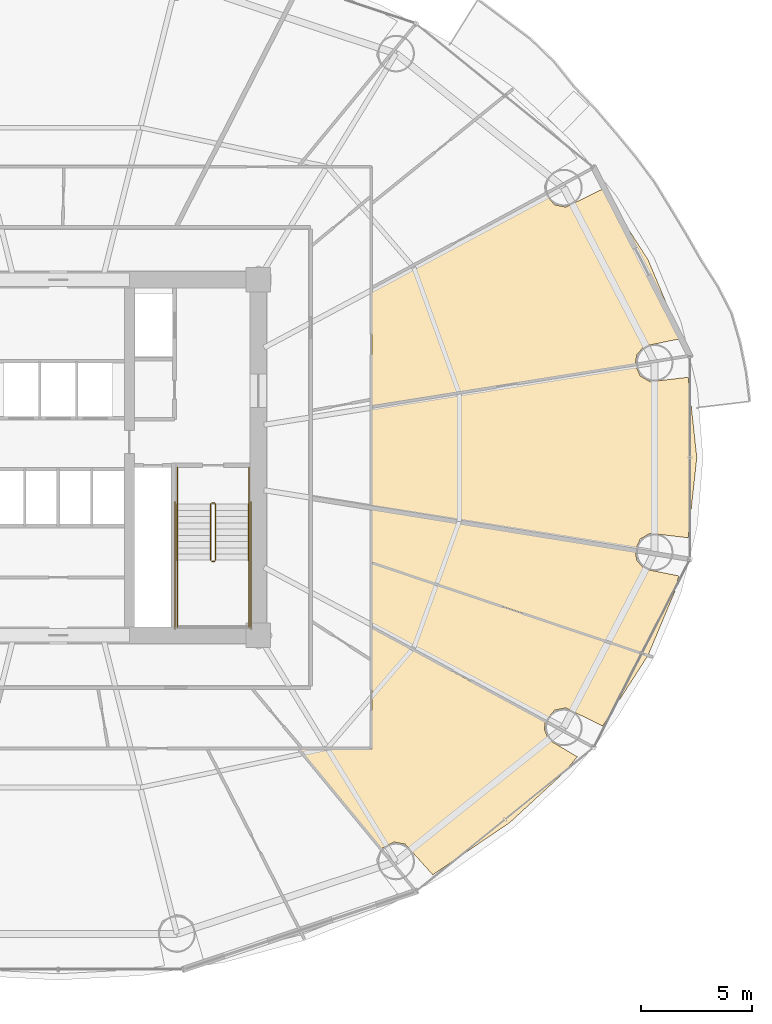
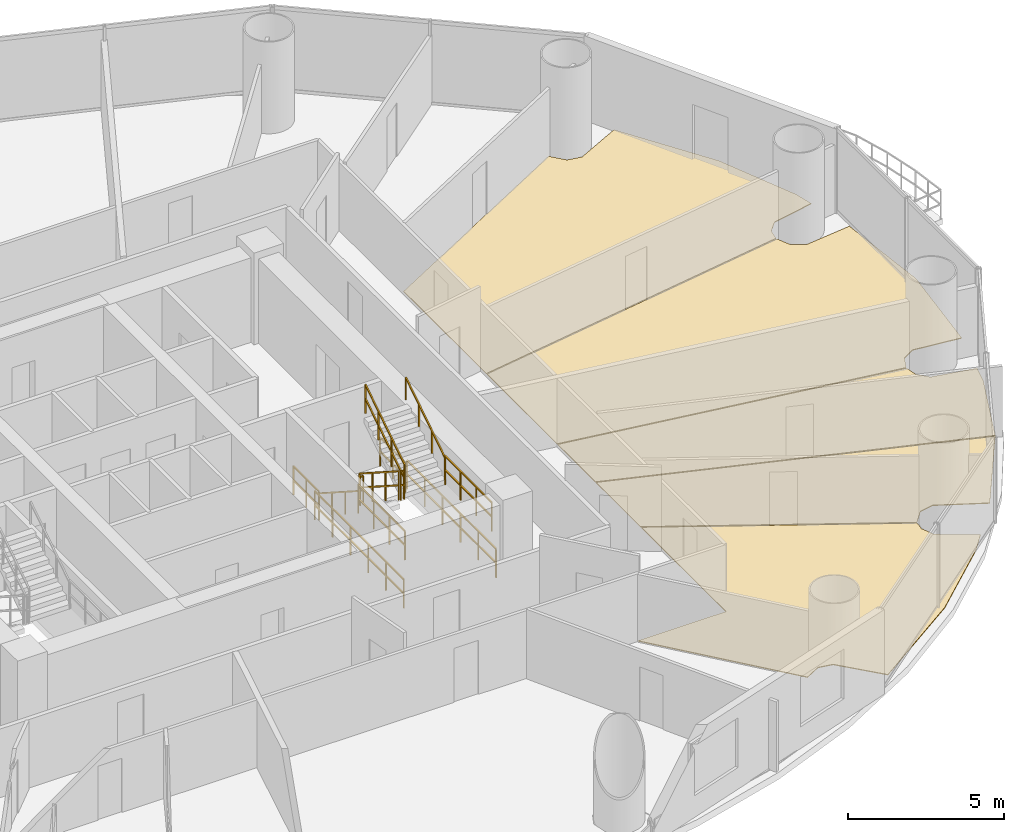
# One storey, part 29 of 30: 12 railings, 5 coverings.
"""IFC4 building model written with IfcOpenShell, lengths in metres."""

import ifcopenshell
import ifcopenshell.guid

model = None  # the IFC model being written
_history = None  # IfcOwnerHistory: only IFC2X3 demands one
_inside = {}  # id of a spatial element -> (the spatial element, [elements in it])
_under = {}  # id of a project, library or spatial element -> (it, [spatial elements below it])
_declared = {}  # id of a project -> (the project, [libraries it declares])
_typed = {}  # id of a type object -> (the type object, [elements of that type])
_made_of = {}  # id of a material, layer set ... -> (it, [elements and type objects made of it])


def new_model(schema):
    """Start an empty IFC model of exactly this schema.

    Asked for "IFC4X3", IfcOpenShell would pick the latest addendum, in which some entities
    have other attributes; the version numbers below select the first issue.
    IFC2X3 requires an IfcOwnerHistory on every rooted entity: one is made here for all.
    """
    global model, _history
    if schema == "IFC4X3":
        model = ifcopenshell.file(schema_version=(4, 3, 0, 0))
    else:
        model = ifcopenshell.file(schema=schema)
    _inside.clear()
    _under.clear()
    _declared.clear()
    _typed.clear()
    _made_of.clear()
    _history = None
    if model.schema == "IFC2X3":
        org = make("IfcOrganization", Name="unknown")
        user = make(
            "IfcPersonAndOrganization",
            ThePerson=make("IfcPerson", FamilyName="unknown"),
            TheOrganization=org,
        )
        app = make(
            "IfcApplication",
            ApplicationDeveloper=org,
            Version="unknown",
            ApplicationFullName="unknown",
            ApplicationIdentifier="unknown",
        )
        _history = make(
            "IfcOwnerHistory",
            OwningUser=user,
            OwningApplication=app,
            ChangeAction="ADDED",
            CreationDate=0,
        )
    return model


def make(cls, **values):
    """One entity of the class cls with the attributes given. An attribute that is None is left unset."""
    return model.create_entity(
        cls, **{name: value for name, value in values.items() if value is not None}
    )


def rooted(cls, **values):
    """An entity with a GlobalId (a new one), such as an element, a storey or a relation."""
    return make(cls, GlobalId=ifcopenshell.guid.new(), OwnerHistory=_history, **values)


def si_unit(unit_type, name, prefix=None):
    """IfcSIUnit, for example si_unit("LENGTHUNIT", "METRE", prefix="MILLI")."""
    return make("IfcSIUnit", UnitType=unit_type, Prefix=prefix, Name=name)


def assignment(units):
    """IfcUnitAssignment: the units of a project."""
    return None if units is None else make("IfcUnitAssignment", Units=units)


def point(xyz):
    """IfcCartesianPoint."""
    return None if xyz is None else make("IfcCartesianPoint", Coordinates=xyz)


def direction(xyz):
    """IfcDirection."""
    return None if xyz is None else make("IfcDirection", DirectionRatios=xyz)


def frame(location, z_axis=None, x_axis=None):
    """IfcAxis2Placement3D, a coordinate frame: its origin and axes. An axis left out is left unset."""
    return make(
        "IfcAxis2Placement3D",
        Location=point(location),
        Axis=direction(z_axis),
        RefDirection=direction(x_axis),
    )


def frame_2d(location, x_axis=None):
    """IfcAxis2Placement2D, a coordinate frame in the plane: its origin and x axis."""
    return make(
        "IfcAxis2Placement2D", Location=point(location), RefDirection=direction(x_axis)
    )


def origin():
    """The frame at (0, 0, 0) with its axes left unset."""
    return frame((0.0, 0.0, 0.0))


def origin_2d():
    """The frame at (0, 0) in the plane with its x axis left unset."""
    return frame_2d((0.0, 0.0))


def place(relative_to, where):
    """IfcLocalPlacement: puts the frame where relative to a parent placement (None: the world)."""
    return make(
        "IfcLocalPlacement", PlacementRelTo=relative_to, RelativePlacement=where
    )


def context(
    kind, dimensions, precision=None, world=None, true_north=None, identifier=None
):
    """IfcGeometricRepresentationContext, for example the 3D "Model" context."""
    return make(
        "IfcGeometricRepresentationContext",
        ContextIdentifier=identifier,
        ContextType=kind,
        CoordinateSpaceDimension=dimensions,
        Precision=precision,
        WorldCoordinateSystem=world,
        TrueNorth=true_north,
    )


def subcontext(parent, identifier, kind, view, scale=None):
    """IfcGeometricRepresentationSubContext, for example "Body" below "Model"."""
    return make(
        "IfcGeometricRepresentationSubContext",
        ContextIdentifier=identifier,
        ContextType=kind,
        ParentContext=parent,
        TargetScale=scale,
        TargetView=view,
    )


def project(units=None, contexts=None):
    """IfcProject with its units and contexts."""
    return rooted(
        "IfcProject",
        Name="project",
        RepresentationContexts=contexts,
        UnitsInContext=assignment(units),
    )


def spatial(cls, under=None, at=None, **own):
    """A site, building, storey or space (cls), placed at a placement, below another one or the project."""
    s = rooted(cls, ObjectPlacement=at, **own)
    if under is not None:
        _under.setdefault(under.id(), (under, []))[1].append(s)
    return s


def polyline(points):
    """IfcPolyline through the points."""
    return make("IfcPolyline", Points=[point(p) for p in points])


def profile(cls, at=None, kind="AREA", **sizes):
    """A parametric profile (cls). Its sizes go by their IFC names, for example OverallWidth=200.0."""
    return make(cls, ProfileType=kind, Position=at, **sizes)


def rectangle(**sizes):
    """IfcRectangleProfileDef."""
    return profile("IfcRectangleProfileDef", **sizes)


def outline(outer, holes=None, kind="AREA"):
    """IfcArbitraryClosedProfileDef: a profile drawn as a closed curve; with holes, ...WithVoids."""
    if holes is None:
        return make("IfcArbitraryClosedProfileDef", ProfileType=kind, OuterCurve=outer)
    return make(
        "IfcArbitraryProfileDefWithVoids",
        ProfileType=kind,
        OuterCurve=outer,
        InnerCurves=holes,
    )


def extrude(swept, where, along, depth):
    """IfcExtrudedAreaSolid: the profile swept, set in the frame where, extruded along a direction by depth."""
    return make(
        "IfcExtrudedAreaSolid",
        SweptArea=swept,
        Position=where,
        ExtrudedDirection=direction(along),
        Depth=depth,
    )


def shape(context_of_items, identifier, shape_type, items):
    """IfcShapeRepresentation: the items that make up one representation, for example the "Body"."""
    return make(
        "IfcShapeRepresentation",
        ContextOfItems=context_of_items,
        RepresentationIdentifier=identifier,
        RepresentationType=shape_type,
        Items=items,
    )


def material(Name=None, Category=None):
    """IfcMaterial."""
    return make("IfcMaterial", Name=Name, Category=Category)


def layer(
    of_material, thickness, ventilated=None, Name=None, Category=None, Priority=None
):
    """IfcMaterialLayer: one layer of a wall or slab, of a material (None: an air gap)."""
    return make(
        "IfcMaterialLayer",
        Material=of_material,
        LayerThickness=thickness,
        IsVentilated=ventilated,
        Name=Name,
        Category=Category,
        Priority=Priority,
    )


def layer_set(layers, Name=None):
    """IfcMaterialLayerSet."""
    return make("IfcMaterialLayerSet", MaterialLayers=layers, LayerSetName=Name)


def made_of(thing, what):
    """Note that an element or type object is made of a material, layer set ...; save() writes the relation."""
    if what is not None:
        _made_of.setdefault(what.id(), (what, []))[1].append(thing)
    return thing


def type_object(cls, material=None, **own):
    """A type object (cls), such as IfcWallType, which elements share."""
    return made_of(rooted(cls, **own), material)


def element(
    cls,
    number,
    at=None,
    inside=None,
    cuts=None,
    type_object=None,
    material=None,
    context=None,
    identifier="Body",
    shape_type=None,
    held_by="IfcProductDefinitionShape",
    body=None,
    shapes=None,
    **own,
):
    """One element of the class cls, such as IfcWall. Its Tag is "e" and its number.

    at: its placement. inside: the storey or other place that contains it. cuts: it is an
    opening in that element (IfcRelVoidsElement). A single representation is given by context,
    identifier, shape_type and body (its items); several are given by shapes. held_by: the class
    of the entity that holds the representations. save() writes the other relations.
    """
    e = rooted(cls, Tag="e%d" % number, ObjectPlacement=at, **own)
    if body is not None:
        shapes = [shape(context, identifier, shape_type, body)]
    if shapes is not None:
        e.Representation = make(held_by, Representations=shapes)
    if inside is not None:
        _inside.setdefault(inside.id(), (inside, []))[1].append(e)
    if cuts is not None:
        rooted(
            "IfcRelVoidsElement", RelatingBuildingElement=cuts, RelatedOpeningElement=e
        )
    if type_object is not None:
        _typed.setdefault(type_object.id(), (type_object, []))[1].append(e)
    return made_of(e, material)


def aggregate(whole, parts):
    """IfcRelAggregates: a whole, such as a stair, and the parts it consists of."""
    return rooted("IfcRelAggregates", RelatingObject=whole, RelatedObjects=parts)


def save(model, path):
    """Write the relations noted so far, then the file.

    IfcRelAggregates (storeys below a building ...), IfcRelContainedInSpatialStructure (elements
    in a storey), IfcRelDefinesByType, IfcRelAssociatesMaterial and IfcRelDeclares: one each for
    every whole, place, type object, material and project.
    """
    for whole, parts in _under.values():
        aggregate(whole, parts)
    for where, things in _inside.values():
        rooted(
            "IfcRelContainedInSpatialStructure",
            RelatedElements=things,
            RelatingStructure=where,
        )
    for kind, things in _typed.values():
        rooted("IfcRelDefinesByType", RelatedObjects=things, RelatingType=kind)
    for what, things in _made_of.values():
        rooted("IfcRelAssociatesMaterial", RelatedObjects=things, RelatingMaterial=what)
    for by, libraries in _declared.values():
        rooted("IfcRelDeclares", RelatingContext=by, RelatedDefinitions=libraries)
    model.write(path)


model = new_model("IFC4")

# Units and contexts
model_context = context("Model", 3, precision=1e-05, world=origin(), true_north=direction((-0.2419218956, 0.970295726276)))
body_context = subcontext(model_context, "Body", "Model", "MODEL_VIEW")
ifc_project = project(units=[si_unit("LENGTHUNIT", "METRE"), si_unit("AREAUNIT", "SQUARE_METRE"), si_unit("VOLUMEUNIT", "CUBIC_METRE"), si_unit("PLANEANGLEUNIT", "RADIAN"), si_unit("MASSUNIT", "GRAM", prefix="KILO")], contexts=[model_context])

# Site, building, storey
site_placement = place(None, origin())
site = spatial("IfcSite", under=ifc_project, at=site_placement, CompositionType="ELEMENT")
building_placement = place(site_placement, origin())
building = spatial("IfcBuilding", under=site, at=building_placement, Name="Cobrevalo Terracotta Tower", CompositionType="ELEMENT")
storey_placement = place(building_placement, frame((0.0, 0.0, 27.60009765625)))
storey = spatial("IfcBuildingStorey", under=building, at=storey_placement, Name="L06", CompositionType="ELEMENT", Elevation=27.60009765625)

# Coverings
ifc_material_1 = material(Name="Engineered Brazilian hardwood flooring", Category="wood")
ifc_layer = layer(ifc_material_1, 0.028076171875)
ifc_layer_set = layer_set([ifc_layer], Name="Engineered Brazilian hardwood flooring")
covering_type = type_object("IfcCoveringType", Name="Engineered Hardwood Suite Flooring 28", PredefinedType="FLOORING", material=ifc_layer_set)
covering_1_placement = place(storey_placement, origin())
element("IfcCovering", 1, at=covering_1_placement, inside=storey, type_object=covering_type, Name="Flat L06A Penthouse Living and Dining Room floor finish", PredefinedType="FLOORING", context=body_context, shape_type="SweptSolid", body=[
    extrude(outline(polyline([(63.952880859375, 30.963134765625), (64.178466796875, 30.465087890625), (64.619384765625, 30.206787109375), (66.331298828125, 30.4111328125), (66.719970703125, 26.800048828125), (66.331298828125, 23.18896484375), (64.619384765625, 23.39306640625), (64.178466796875, 23.135009765625), (63.952880859375, 22.636962890625), (52.10498046875, 24.546630859375), (52.10498046875, 29.05322265625), (63.952880859375, 30.963134765625)])), origin(), (0.0, 0.0, 1.0), 0.02978515625),
])
covering_2_placement = place(storey_placement, origin())
element("IfcCovering", 2, at=covering_2_placement, inside=storey, type_object=covering_type, Name="Flat L06A Penthouse Family Lounge floor finish", PredefinedType="FLOORING", context=body_context, shape_type="SweptSolid", body=[
    extrude(outline(polyline([(59.915283203125, 38.643310546875), (60.325439453125, 38.163330078125), (60.826416015625, 38.063232421875), (62.488037109375, 38.87451171875), (64.534423828125, 35.684326171875), (65.74169921875, 32.80859375), (65.909423828125, 32.126220703125), (64.3642578125, 31.81298828125), (64.025146484375, 31.4306640625), (63.95068359375, 31.003173828125), (52.10498046875, 29.09375), (52.10498046875, 34.41455078125), (59.915283203125, 38.643310546875)])), origin(), (0.0, 0.0, 1.0), 0.02978515625),
])
covering_3_placement = place(storey_placement, origin())
element("IfcCovering", 3, at=covering_3_placement, inside=storey, type_object=covering_type, Name="Flat L06D Penthouse Family Lounge floor finish", PredefinedType="FLOORING", context=body_context, shape_type="SweptSolid", body=[
    extrude(outline(polyline([(58.3095703125, 10.38232421875), (54.843505859375, 8.03271484375), (53.6025390625, 9.412353515625), (53.100341796875, 9.50732421875), (52.531982421875, 9.20751953125), (48.831787109375, 13.695068359375), (52.10498046875, 13.695068359375), (52.10498046875, 19.14013671875), (59.90234375, 14.91796875), (59.864990234375, 14.573974609375), (60.060791015625, 14.10205078125), (61.34423828125, 13.341064453125), (60.786376953125, 12.666259765625), (58.3095703125, 10.38232421875)])), origin(), (0.0, 0.0, 1.0), 0.02978515625),
])
covering_4_placement = place(storey_placement, origin())
element("IfcCovering", 4, at=covering_4_placement, inside=storey, type_object=covering_type, Name="Flat L06D Principal Guest Bedroom floor finish", PredefinedType="FLOORING", context=body_context, shape_type="SweptSolid", body=[
    extrude(outline(polyline([(62.488037109375, 14.7255859375), (60.826416015625, 15.53662109375), (60.325439453125, 15.436767578125), (59.915283203125, 14.95654296875), (52.10498046875, 19.185546875), (52.10498046875, 22.04443359375), (64.5126953125, 17.8798828125), (62.488037109375, 14.7255859375)])), origin(), (0.0, 0.0, 1.0), 0.02978515625),
])
covering_5_placement = place(storey_placement, origin())
element("IfcCovering", 5, at=covering_5_placement, inside=storey, type_object=covering_type, Name="Flat L06D Penthouse Family Lounge floor finish", PredefinedType="FLOORING", context=body_context, shape_type="SweptSolid", body=[
    extrude(outline(polyline([(52.10498046875, 22.086669921875), (52.10498046875, 24.506103515625), (63.95068359375, 22.596923828125), (64.025146484375, 22.169189453125), (64.3642578125, 21.787109375), (65.909423828125, 21.473876953125), (65.74169921875, 20.791259765625), (64.531494140625, 17.91552734375), (52.10498046875, 22.086669921875)])), origin(), (0.0, 0.0, 1.0), 0.02978515625),
])

# Railings
ifc_material_2 = material(Name="Brushed stainless steel", Category="steel")
railing_type_1 = type_object("IfcRailingType", Name="Stainless Steel Stair Handrail 900", PredefinedType="HANDRAIL", material=ifc_material_2)
railing_1_placement = place(storey_placement, frame((43.35498046875, 24.699951171875, 0.179931640625)))
element("IfcRailing", 6, at=railing_1_placement, inside=storey, type_object=railing_type_1, Name="L06 ST-2 stair handrail 1", PredefinedType="HANDRAIL", context=body_context, shape_type="SweptSolid", body=[
    extrude(rectangle(XDim=0.048095703125, YDim=0.048095703125, at=origin_2d()), frame((0.0, 0.0, 0.8759765625), z_axis=(0.0, -0.841199657755, 0.540724639528), x_axis=(1.0, 0.0, 0.0)), (0.0, 0.0, 1.0), 2.995849609375),
    extrude(rectangle(XDim=0.0419921875, YDim=0.0419921875, at=origin_2d()), origin(), (0.0, 0.0, 1.0), 0.851806640625),
    extrude(rectangle(XDim=0.0419921875, YDim=0.0419921875, at=origin_2d()), frame((0.0, -0.840087890625, 0.5400390625)), (0.0, 0.0, 1.0), 0.851806640625),
    extrude(rectangle(XDim=0.0419921875, YDim=0.0419921875, at=origin_2d()), frame((0.0, -1.679931640625, 1.079833984375)), (0.0, 0.0, 1.0), 0.851806640625),
    extrude(rectangle(XDim=0.0419921875, YDim=0.0419921875, at=origin_2d()), frame((0.0, -2.52001953125, 1.619873046875)), (0.0, 0.0, 1.0), 0.851806640625),
])
railing_2_placement = place(storey_placement, frame((46.574951171875, 22.179931640625, 1.97998046875)))
element("IfcRailing", 7, at=railing_2_placement, inside=storey, type_object=railing_type_1, Name="L06 ST-2 stair handrail 2", PredefinedType="HANDRAIL", context=body_context, shape_type="SweptSolid", body=[
    extrude(rectangle(XDim=0.048095703125, YDim=0.048095703125, at=origin_2d()), frame((0.0, 0.0, 0.8759765625), z_axis=(0.0, 0.841199657755, 0.540724639528), x_axis=(-1.0, 0.0, 0.0)), (0.0, 0.0, 1.0), 2.995849609375),
    extrude(rectangle(XDim=0.0419921875, YDim=0.0419921875, at=origin_2d()), origin(), (0.0, 0.0, 1.0), 0.851806640625),
    extrude(rectangle(XDim=0.0419921875, YDim=0.0419921875, at=origin_2d()), frame((0.0, 0.840087890625, 0.5400390625)), (0.0, 0.0, 1.0), 0.851806640625),
    extrude(rectangle(XDim=0.0419921875, YDim=0.0419921875, at=origin_2d()), frame((0.0, 1.679931640625, 1.079833984375)), (0.0, 0.0, 1.0), 0.851806640625),
    extrude(rectangle(XDim=0.0419921875, YDim=0.0419921875, at=origin_2d()), frame((0.0, 2.52001953125, 1.619873046875)), (0.0, 0.0, 1.0), 0.851806640625),
])
ifc_material_3 = material(Name="Painted galvanized steel", Category="steel")
railing_type_2 = type_object("IfcRailingType", Name="Stair Well Guard Balustrade 1150", PredefinedType="GUARDRAIL", material=ifc_material_3)
railing_3_placement = place(storey_placement, frame((44.85498046875, 24.699951171875, 0.179931640625)))
element("IfcRailing", 8, at=railing_3_placement, inside=storey, type_object=railing_type_2, Name="L06 ST-2 stair guard 1", PredefinedType="GUARDRAIL", context=body_context, shape_type="SweptSolid", body=[
    extrude(rectangle(XDim=0.048095703125, YDim=0.048095703125, at=origin_2d()), frame((0.0, 0.0, 1.1259765625), z_axis=(0.0, -0.841199657755, 0.540724639528), x_axis=(1.0, 0.0, 0.0)), (0.0, 0.0, 1.0), 2.995849609375),
    extrude(rectangle(XDim=0.048095703125, YDim=0.048095703125, at=origin_2d()), frame((0.0, 0.0, 0.574951171875), z_axis=(0.0, -0.841199657755, 0.540724639528), x_axis=(1.0, 0.0, 0.0)), (0.0, 0.0, 1.0), 2.995849609375),
    extrude(rectangle(XDim=0.0419921875, YDim=0.0419921875, at=origin_2d()), origin(), (0.0, 0.0, 1.0), 1.101806640625),
    extrude(rectangle(XDim=0.0419921875, YDim=0.0419921875, at=origin_2d()), frame((0.0, -0.840087890625, 0.5400390625)), (0.0, 0.0, 1.0), 1.101806640625),
    extrude(rectangle(XDim=0.0419921875, YDim=0.0419921875, at=origin_2d()), frame((0.0, -1.679931640625, 1.079833984375)), (0.0, 0.0, 1.0), 1.101806640625),
    extrude(rectangle(XDim=0.0419921875, YDim=0.0419921875, at=origin_2d()), frame((0.0, -2.52001953125, 1.619873046875)), (0.0, 0.0, 1.0), 1.101806640625),
])
railing_4_placement = place(storey_placement, frame((44.905029296875, 22.1298828125, 1.7998046875)))
element("IfcRailing", 9, at=railing_4_placement, inside=storey, type_object=railing_type_2, Name="L06 ST-2 stair guard 2", PredefinedType="GUARDRAIL", context=body_context, shape_type="SweptSolid", body=[
    extrude(rectangle(XDim=0.048095703125, YDim=0.048095703125, at=origin_2d()), frame((0.0, 0.0, 1.1259765625), z_axis=(1.0, 0.0, 0.0), x_axis=(0.0, 1.0, 0.0)), (0.0, 0.0, 1.0), 0.119873046875),
    extrude(rectangle(XDim=0.048095703125, YDim=0.048095703125, at=origin_2d()), frame((0.0, 0.0, 0.574951171875), z_axis=(1.0, 0.0, 0.0), x_axis=(0.0, 1.0, 0.0)), (0.0, 0.0, 1.0), 0.119873046875),
    extrude(rectangle(XDim=0.0419921875, YDim=0.0419921875, at=origin_2d()), origin(), (0.0, 0.0, 1.0), 1.101806640625),
    extrude(rectangle(XDim=0.0419921875, YDim=0.0419921875, at=origin_2d()), frame((0.119873046875, 0.0, 0.0)), (0.0, 0.0, 1.0), 1.101806640625),
])
for number, where, name in (
    (10, (43.35498046875, 22.179931640625, 1.7998046875), "L06 ST-2 stair guard 3"),
    (11, (46.574951171875, 22.179931640625, 1.7998046875), "L06 ST-2 stair guard 4"),
):
    element("IfcRailing", number, at=place(storey_placement, frame(where)), inside=storey, type_object=railing_type_2, Name=name, PredefinedType="GUARDRAIL", context=body_context, shape_type="SweptSolid", body=[
        extrude(rectangle(XDim=0.048095703125, YDim=0.048095703125, at=origin_2d()), frame((0.0, 0.0, 1.1259765625), z_axis=(0.0, -1.0, 0.0), x_axis=(1.0, 0.0, 0.0)), (0.0, 0.0, 1.0), 3.0048828125),
        extrude(rectangle(XDim=0.048095703125, YDim=0.048095703125, at=origin_2d()), frame((0.0, 0.0, 0.574951171875), z_axis=(0.0, -1.0, 0.0), x_axis=(1.0, 0.0, 0.0)), (0.0, 0.0, 1.0), 3.0048828125),
        extrude(rectangle(XDim=0.0419921875, YDim=0.0419921875, at=origin_2d()), origin(), (0.0, 0.0, 1.0), 1.101806640625),
        extrude(rectangle(XDim=0.0419921875, YDim=0.0419921875, at=origin_2d()), frame((0.0, -1.001708984375, 0.0)), (0.0, 0.0, 1.0), 1.101806640625),
        extrude(rectangle(XDim=0.0419921875, YDim=0.0419921875, at=origin_2d()), frame((0.0, -2.003173828125, 0.0)), (0.0, 0.0, 1.0), 1.101806640625),
        extrude(rectangle(XDim=0.0419921875, YDim=0.0419921875, at=origin_2d()), frame((0.0, -3.0048828125, 0.0)), (0.0, 0.0, 1.0), 1.101806640625),
    ])
railing_5_placement = place(storey_placement, frame((45.074951171875, 22.179931640625, 1.97998046875)))
element("IfcRailing", 12, at=railing_5_placement, inside=storey, type_object=railing_type_2, Name="L06 ST-2 stair guard 6", PredefinedType="GUARDRAIL", context=body_context, shape_type="SweptSolid", body=[
    extrude(rectangle(XDim=0.048095703125, YDim=0.048095703125, at=origin_2d()), frame((0.0, 0.0, 1.1259765625), z_axis=(0.0, 0.841199657755, 0.540724639528), x_axis=(-1.0, 0.0, 0.0)), (0.0, 0.0, 1.0), 2.995849609375),
    extrude(rectangle(XDim=0.048095703125, YDim=0.048095703125, at=origin_2d()), frame((0.0, 0.0, 0.574951171875), z_axis=(0.0, 0.841199657755, 0.540724639528), x_axis=(-1.0, 0.0, 0.0)), (0.0, 0.0, 1.0), 2.995849609375),
    extrude(rectangle(XDim=0.0419921875, YDim=0.0419921875, at=origin_2d()), origin(), (0.0, 0.0, 1.0), 1.101806640625),
    extrude(rectangle(XDim=0.0419921875, YDim=0.0419921875, at=origin_2d()), frame((0.0, 0.840087890625, 0.5400390625)), (0.0, 0.0, 1.0), 1.101806640625),
    extrude(rectangle(XDim=0.0419921875, YDim=0.0419921875, at=origin_2d()), frame((0.0, 1.679931640625, 1.079833984375)), (0.0, 0.0, 1.0), 1.101806640625),
    extrude(rectangle(XDim=0.0419921875, YDim=0.0419921875, at=origin_2d()), frame((0.0, 2.52001953125, 1.619873046875)), (0.0, 0.0, 1.0), 1.101806640625),
])
railing_6_placement = place(storey_placement, frame((44.905029296875, 24.75, 0.0)))
element("IfcRailing", 13, at=railing_6_placement, inside=storey, type_object=railing_type_2, Name="L06 ST-2 stair guard 7", PredefinedType="GUARDRAIL", context=body_context, shape_type="SweptSolid", body=[
    extrude(rectangle(XDim=0.048095703125, YDim=0.048095703125, at=origin_2d()), frame((0.0, 0.0, 1.1259765625), z_axis=(1.0, 0.0, 0.0), x_axis=(0.0, 1.0, 0.0)), (0.0, 0.0, 1.0), 0.119873046875),
    extrude(rectangle(XDim=0.048095703125, YDim=0.048095703125, at=origin_2d()), frame((0.0, 0.0, 0.574951171875), z_axis=(1.0, 0.0, 0.0), x_axis=(0.0, 1.0, 0.0)), (0.0, 0.0, 1.0), 0.119873046875),
    extrude(rectangle(XDim=0.0419921875, YDim=0.0419921875, at=origin_2d()), origin(), (0.0, 0.0, 1.0), 1.101806640625),
    extrude(rectangle(XDim=0.0419921875, YDim=0.0419921875, at=origin_2d()), frame((0.119873046875, 0.0, 0.0)), (0.0, 0.0, 1.0), 1.101806640625),
])
for number, where, name in (
    (14, (43.35498046875, 26.35009765625, 0.0), "L06 ST-2 stair guard 8"),
    (15, (46.574951171875, 26.35009765625, 0.0), "L06 ST-2 stair guard 9"),
):
    element("IfcRailing", number, at=place(storey_placement, frame(where)), inside=storey, type_object=railing_type_2, Name=name, PredefinedType="GUARDRAIL", context=body_context, shape_type="SweptSolid", body=[
        extrude(rectangle(XDim=0.048095703125, YDim=0.048095703125, at=origin_2d()), frame((0.0, 0.0, 1.1259765625), z_axis=(0.0, -1.0, 0.0), x_axis=(1.0, 0.0, 0.0)), (0.0, 0.0, 1.0), 1.650146484375),
        extrude(rectangle(XDim=0.048095703125, YDim=0.048095703125, at=origin_2d()), frame((0.0, 0.0, 0.574951171875), z_axis=(0.0, -1.0, 0.0), x_axis=(1.0, 0.0, 0.0)), (0.0, 0.0, 1.0), 1.650146484375),
        extrude(rectangle(XDim=0.0419921875, YDim=0.0419921875, at=origin_2d()), origin(), (0.0, 0.0, 1.0), 1.101806640625),
        extrude(rectangle(XDim=0.0419921875, YDim=0.0419921875, at=origin_2d()), frame((0.0, -0.8251953125, 0.0)), (0.0, 0.0, 1.0), 1.101806640625),
        extrude(rectangle(XDim=0.0419921875, YDim=0.0419921875, at=origin_2d()), frame((0.0, -1.650146484375, 0.0)), (0.0, 0.0, 1.0), 1.101806640625),
    ])
for number, where, name in (
    (16, (43.2548828125, 24.800048828125, 0.0), "L06 ST-2 stair guard 10"),
    (17, (46.675048828125, 24.800048828125, 0.0), "L06 ST-2 stair guard 11"),
):
    element("IfcRailing", number, at=place(storey_placement, frame(where)), inside=storey, type_object=railing_type_2, Name=name, PredefinedType="GUARDRAIL", context=body_context, shape_type="SweptSolid", body=[
        extrude(rectangle(XDim=0.048095703125, YDim=0.048095703125, at=origin_2d()), frame((0.0, 0.0, 1.1259765625), z_axis=(0.0, -1.0, 0.0), x_axis=(1.0, 0.0, 0.0)), (0.0, 0.0, 1.0), 5.72509765625),
        extrude(rectangle(XDim=0.048095703125, YDim=0.048095703125, at=origin_2d()), frame((0.0, 0.0, 0.574951171875), z_axis=(0.0, -1.0, 0.0), x_axis=(1.0, 0.0, 0.0)), (0.0, 0.0, 1.0), 5.72509765625),
        extrude(rectangle(XDim=0.0419921875, YDim=0.0419921875, at=origin_2d()), origin(), (0.0, 0.0, 1.0), 1.101806640625),
        extrude(rectangle(XDim=0.0419921875, YDim=0.0419921875, at=origin_2d()), frame((0.0, -1.14501953125, 0.0)), (0.0, 0.0, 1.0), 1.101806640625),
        extrude(rectangle(XDim=0.0419921875, YDim=0.0419921875, at=origin_2d()), frame((0.0, -2.2900390625, 0.0)), (0.0, 0.0, 1.0), 1.101806640625),
        extrude(rectangle(XDim=0.0419921875, YDim=0.0419921875, at=origin_2d()), frame((0.0, -3.43505859375, 0.0)), (0.0, 0.0, 1.0), 1.101806640625),
        extrude(rectangle(XDim=0.0419921875, YDim=0.0419921875, at=origin_2d()), frame((0.0, -4.580078125, 0.0)), (0.0, 0.0, 1.0), 1.101806640625),
        extrude(rectangle(XDim=0.0419921875, YDim=0.0419921875, at=origin_2d()), frame((0.0, -5.72509765625, 0.0)), (0.0, 0.0, 1.0), 1.101806640625),
    ])

save(model, "model.ifc")
